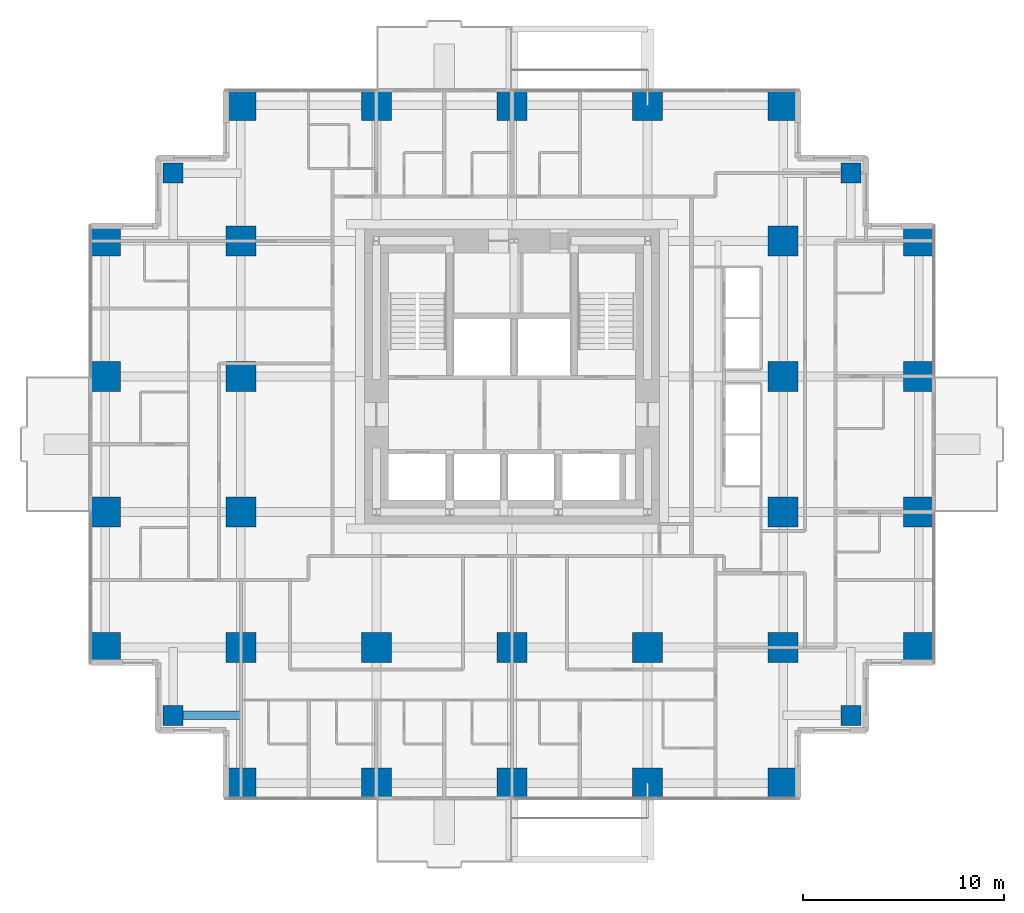
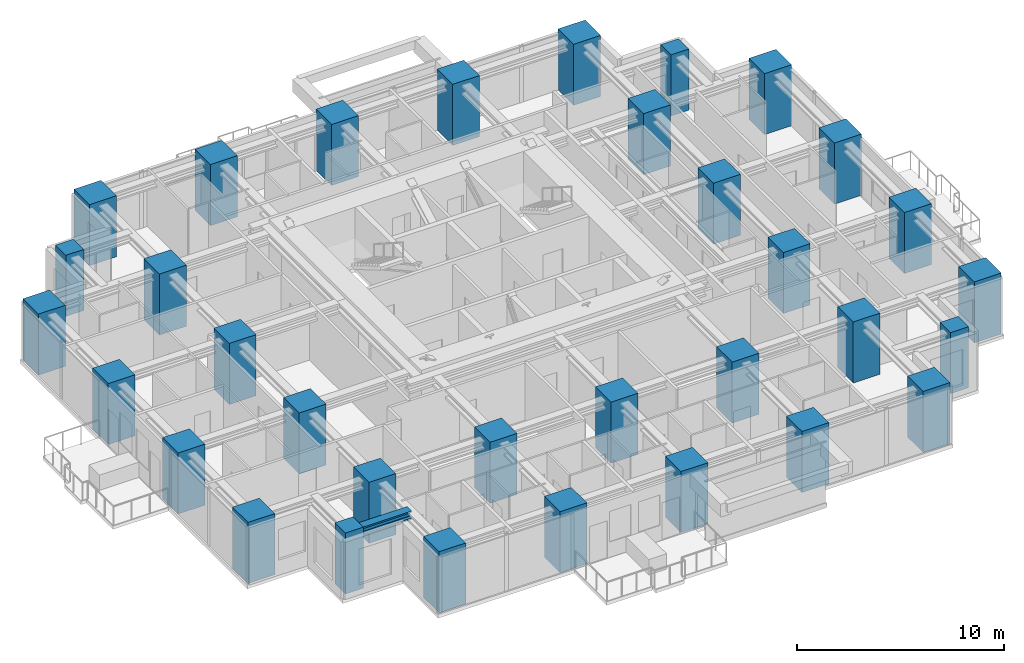
# One storey, part 1 of 13: 33 columns, 1 beam.
"""IFC4 building model written with IfcOpenShell, lengths in metres."""

from ifc_helpers import new_model, si_unit, direction, frame, origin, origin_2d, place, context, subcontext, project, spatial, rectangle, i_section, extrude, material, material_profile, profile_set, type_object, element, save


model = new_model("IFC4")

# Units and contexts
model_context = context("Model", 3, precision=1e-05, world=origin(), true_north=direction((0.0, 1.0)))
body_context = subcontext(model_context, "Body", "Model", "MODEL_VIEW")
ifc_project = project(units=[si_unit("LENGTHUNIT", "METRE"), si_unit("AREAUNIT", "SQUARE_METRE"), si_unit("VOLUMEUNIT", "CUBIC_METRE"), si_unit("PLANEANGLEUNIT", "RADIAN"), si_unit("MASSUNIT", "GRAM", prefix="KILO")], contexts=[model_context])

# Site, building, storey
site_placement = place(None, origin())
site = spatial("IfcSite", under=ifc_project, at=site_placement, CompositionType="ELEMENT")
building_placement = place(site_placement, origin())
building = spatial("IfcBuilding", under=site, at=building_placement, Name="Nyansa Garden Tower", CompositionType="ELEMENT")
storey_placement = place(building_placement, frame((0.0, 0.0, 116.10009765625)))
storey = spatial("IfcBuildingStorey", under=building, at=storey_placement, Name="L31", CompositionType="ELEMENT", Elevation=116.10009765625)

# Columns
ifc_material_1 = material(Name="Concrete C70/85", Category="concrete")
ifc_material_profile_1 = material_profile(ifc_material_1, rectangle(XDim=1.0, YDim=1.0, at=origin_2d()), Name="RC 1000x1000")
ifc_profile_set_1 = profile_set([ifc_material_profile_1], Name="Concrete C70/85")
column_type_1 = type_object("IfcColumnType", Name="Column C100 RC 1000x1000", PredefinedType="COLUMN", material=ifc_profile_set_1)
for number, where, z_axis, x_axis, name in (
    (1, (3.375, 3.375, 0.0), (0.0, 0.0, 1.0), (1.0, 0.0, 0.0), "Column x3.375/y3.375 L31"),
    (2, (3.375, 30.375, 0.0), (0.0, 0.0, 1.0), (1.0, 0.0, 0.0), "Column x3.375/y30.375 L31"),
    (3, (37.125, 3.375, 0.0), (0.0, 0.0, 1.0), (1.0, 0.0, 0.0), "Column x37.125/y3.375 L31"),
    (4, (37.125, 30.375, 0.0), (0.0, 0.0, 1.0), (1.0, 0.0, 0.0), "Column x37.125/y30.375 L31"),
):
    element("IfcColumn", number, at=place(storey_placement, frame(where, z_axis=z_axis, x_axis=x_axis)), inside=storey, type_object=column_type_1, Name=name, PredefinedType="COLUMN", context=body_context, shape_type="SweptSolid", body=[
        extrude(rectangle(XDim=1.0, YDim=1.0, at=origin_2d()), origin(), (0.0, 0.0, 1.0), 3.599853515625),
    ])
ifc_material_2 = material(Name="Concrete C80/95", Category="concrete")
ifc_material_profile_2 = material_profile(ifc_material_2, rectangle(XDim=1.5, YDim=1.5, at=origin_2d()), Name="RC 1500x1500")
ifc_profile_set_2 = profile_set([ifc_material_profile_2], Name="Concrete C80/95")
column_type_2 = type_object("IfcColumnType", Name="Column C150 RC 1500x1500", PredefinedType="COLUMN", material=ifc_profile_set_2)
for number, where, z_axis, x_axis, name in (
    (5, (0.0, 6.75, 0.0), (0.0, 0.0, 1.0), (1.0, 0.0, 0.0), "Column 2/E L31"),
    (6, (0.0, 13.5, 0.0), (0.0, 0.0, 1.0), (1.0, 0.0, 0.0), "Column 2/F L31"),
    (7, (0.0, 20.25, 0.0), (0.0, 0.0, 1.0), (1.0, 0.0, 0.0), "Column 2/G L31"),
    (8, (0.0, 27.0, 0.0), (0.0, 0.0, 1.0), (1.0, 0.0, 0.0), "Column 2/H L31"),
    (9, (6.75, 0.0, 0.0), (0.0, 0.0, 1.0), (1.0, 0.0, 0.0), "Column 3/D L31"),
    (10, (6.75, 6.75, 0.0), (0.0, 0.0, 1.0), (1.0, 0.0, 0.0), "Column 3/E L31"),
    (11, (6.75, 13.5, 0.0), (0.0, 0.0, 1.0), (1.0, 0.0, 0.0), "Column 3/F L31"),
    (12, (6.75, 20.25, 0.0), (0.0, 0.0, 1.0), (1.0, 0.0, 0.0), "Column 3/G L31"),
    (13, (6.75, 27.0, 0.0), (0.0, 0.0, 1.0), (1.0, 0.0, 0.0), "Column 3/H L31"),
    (14, (6.75, 33.75, 0.0), (0.0, 0.0, 1.0), (1.0, 0.0, 0.0), "Column 3/J L31"),
    (15, (13.5, 0.0, 0.0), (0.0, 0.0, 1.0), (1.0, 0.0, 0.0), "Column 4/D L31"),
    (16, (13.5, 6.75, 0.0), (0.0, 0.0, 1.0), (1.0, 0.0, 0.0), "Column 4/E L31"),
    (17, (13.5, 33.75, 0.0), (0.0, 0.0, 1.0), (1.0, 0.0, 0.0), "Column 4/J L31"),
    (18, (20.25, 0.0, 0.0), (0.0, 0.0, 1.0), (1.0, 0.0, 0.0), "Column 5/D L31"),
    (19, (20.25, 6.75, 0.0), (0.0, 0.0, 1.0), (1.0, 0.0, 0.0), "Column 5/E L31"),
    (20, (20.25, 33.75, 0.0), (0.0, 0.0, 1.0), (1.0, 0.0, 0.0), "Column 5/J L31"),
    (21, (27.0, 0.0, 0.0), (0.0, 0.0, 1.0), (1.0, 0.0, 0.0), "Column 6/D L31"),
    (22, (27.0, 6.75, 0.0), (0.0, 0.0, 1.0), (1.0, 0.0, 0.0), "Column 6/E L31"),
    (23, (27.0, 33.75, 0.0), (0.0, 0.0, 1.0), (1.0, 0.0, 0.0), "Column 6/J L31"),
    (24, (33.75, 0.0, 0.0), (0.0, 0.0, 1.0), (1.0, 0.0, 0.0), "Column 7/D L31"),
    (25, (33.75, 6.75, 0.0), (0.0, 0.0, 1.0), (1.0, 0.0, 0.0), "Column 7/E L31"),
    (26, (33.75, 13.5, 0.0), (0.0, 0.0, 1.0), (1.0, 0.0, 0.0), "Column 7/F L31"),
    (27, (33.75, 20.25, 0.0), (0.0, 0.0, 1.0), (1.0, 0.0, 0.0), "Column 7/G L31"),
    (28, (33.75, 27.0, 0.0), (0.0, 0.0, 1.0), (1.0, 0.0, 0.0), "Column 7/H L31"),
    (29, (33.75, 33.75, 0.0), (0.0, 0.0, 1.0), (1.0, 0.0, 0.0), "Column 7/J L31"),
    (30, (40.5, 6.75, 0.0), (0.0, 0.0, 1.0), (1.0, 0.0, 0.0), "Column 8/E L31"),
    (31, (40.5, 13.5, 0.0), (0.0, 0.0, 1.0), (1.0, 0.0, 0.0), "Column 8/F L31"),
    (32, (40.5, 20.25, 0.0), (0.0, 0.0, 1.0), (1.0, 0.0, 0.0), "Column 8/G L31"),
    (33, (40.5, 27.0, 0.0), (0.0, 0.0, 1.0), (1.0, 0.0, 0.0), "Column 8/H L31"),
):
    element("IfcColumn", number, at=place(storey_placement, frame(where, z_axis=z_axis, x_axis=x_axis)), inside=storey, type_object=column_type_2, Name=name, PredefinedType="COLUMN", context=body_context, shape_type="SweptSolid", body=[
        extrude(rectangle(XDim=1.5, YDim=1.5, at=origin_2d()), origin(), (0.0, 0.0, 1.0), 3.599853515625),
    ])

# Beam
ifc_material_3 = material(Name="Steel S355", Category="steel")
ifc_material_profile_3 = material_profile(ifc_material_3, i_section(OverallWidth=0.431884765625, OverallDepth=0.498046875, WebThickness=0.0556640625, FlangeThickness=0.0888671875, FilletRadius=0.014892578125, at=origin_2d()), Name="HD 400x744")
ifc_profile_set_3 = profile_set([ifc_material_profile_3], Name="Steel S355")
beam_type = type_object("IfcBeamType", Name="Steel beam SSB1-744 HD 400x744", PredefinedType="BEAM", material=ifc_profile_set_3)
beam_placement = place(storey_placement, frame((3.375, 3.375, 3.1259765625), z_axis=(1.0, 0.0, 0.0), x_axis=(0.0, 1.0, 0.0)))
element("IfcBeam", 34, at=beam_placement, inside=storey, type_object=beam_type, Name="Steel step beam 3.375/3.375 L32", PredefinedType="BEAM", context=body_context, shape_type="SweptSolid", body=[
    extrude(i_section(OverallWidth=0.431884765625, OverallDepth=0.498046875, WebThickness=0.0556640625, FlangeThickness=0.0888671875, FilletRadius=0.014892578125, at=origin_2d()), origin(), (0.0, 0.0, 1.0), 3.375),
])

save(model, "model.ifc")
